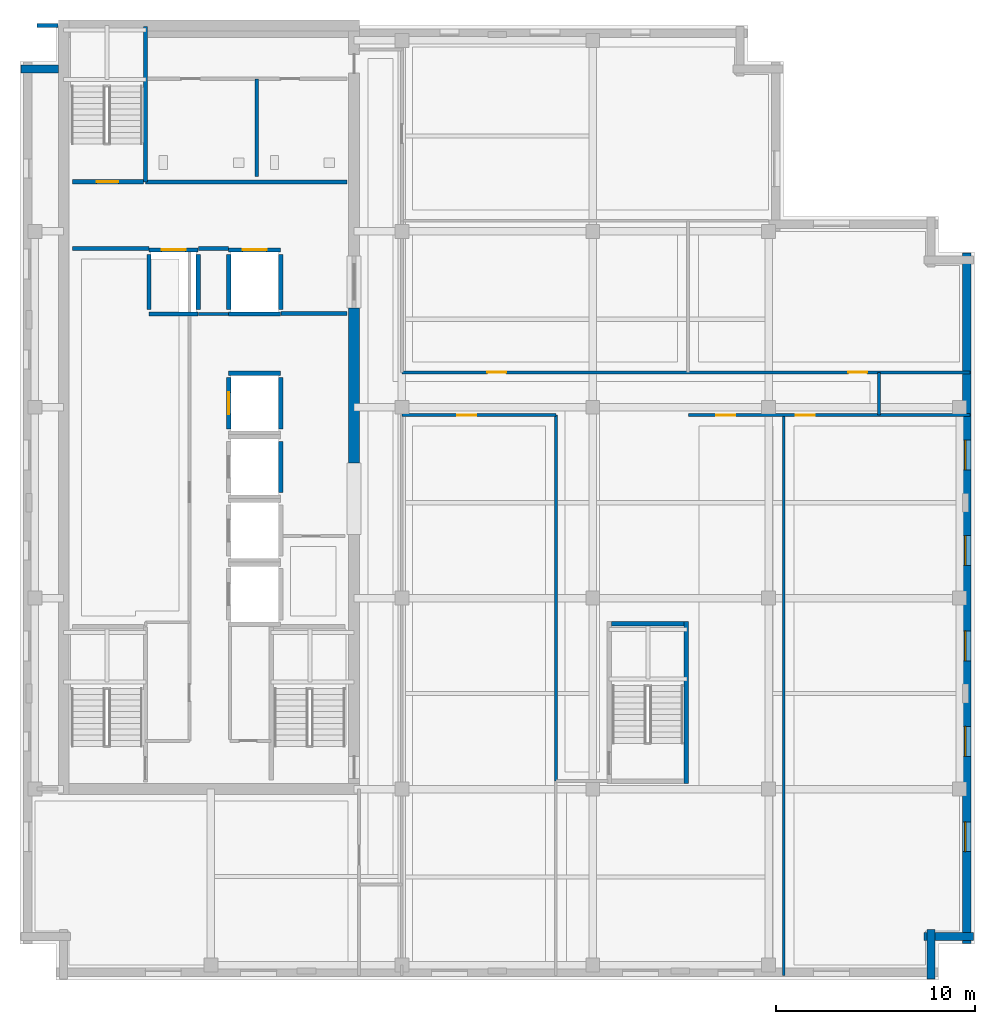
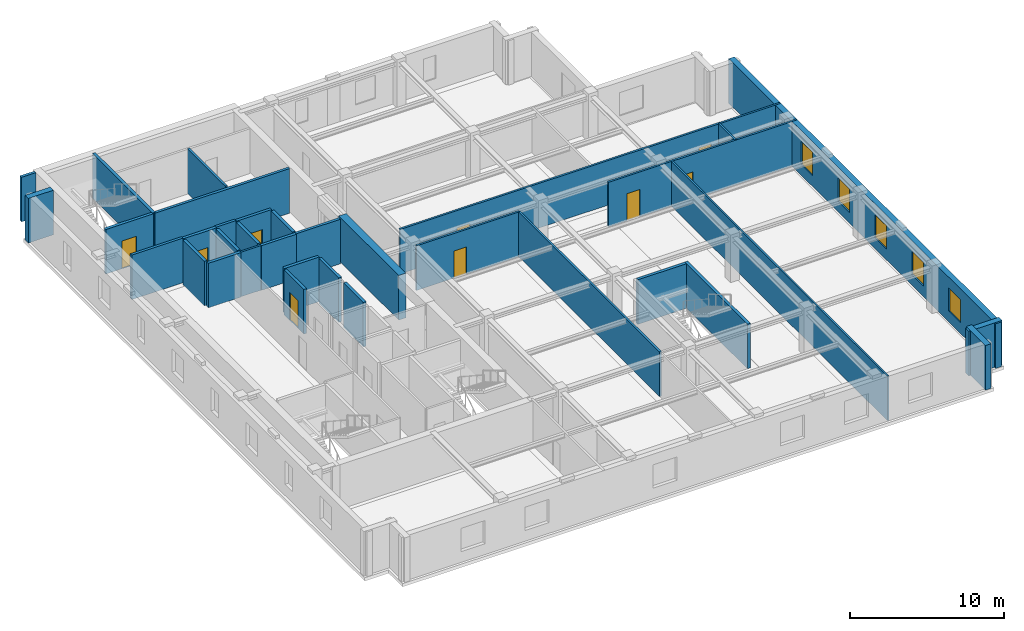
# One storey, part 4 of 10: 34 walls, 9 doors, 5 windows, 14 openings.
"""IFC4 building model written with IfcOpenShell, lengths in metres."""

from ifc_helpers import new_model, si_unit, direction, frame, frame_2d, origin, place, context, subcontext, project, spatial, rectangle, extrude, material, layer, layer_set, type_object, element, fill, save


model = new_model("IFC4")

# Units and contexts
model_context = context("Model", 3, precision=1e-05, world=origin(), true_north=direction((0.0, 1.0)))
body_context = subcontext(model_context, "Body", "Model", "MODEL_VIEW")
ifc_project = project(units=[si_unit("LENGTHUNIT", "METRE"), si_unit("AREAUNIT", "SQUARE_METRE"), si_unit("VOLUMEUNIT", "CUBIC_METRE"), si_unit("PLANEANGLEUNIT", "RADIAN"), si_unit("MASSUNIT", "GRAM", prefix="KILO")], contexts=[model_context])

# Site, building, storey
site_placement = place(None, origin())
site = spatial("IfcSite", under=ifc_project, at=site_placement, CompositionType="ELEMENT")
building_placement = place(site_placement, origin())
building = spatial("IfcBuilding", under=site, at=building_placement, Name="Norrvale University Quadrangle", CompositionType="ELEMENT")
storey_placement = place(building_placement, frame((0.0, 0.0, 296.199951171875)))
storey = spatial("IfcBuildingStorey", under=building, at=storey_placement, Name="L75", CompositionType="ELEMENT", Elevation=296.199951171875)

# Walls
ifc_material_1 = material(Name="Buff Norman Clay Brick Masonry", Category="masonry")
ifc_layer_1 = layer(ifc_material_1, 0.419921875, Name="Buff Norman Clay Brick Masonry")
ifc_layer_set_1 = layer_set([ifc_layer_1], Name="Buff Norman Clay Brick Masonry")
wall_type_1 = type_object("IfcWallType", Name="Wall Buff Brick 420", PredefinedType="SOLIDWALL", material=ifc_layer_set_1)
for number, where, z_axis, x_axis, name in (
    (1, (45.81005859375, 0.0400390625, 0.0), (0.0, 0.0, 1.0), (0.0, 1.0, 0.0), "Exterior Brick Facade Wall L75-02.1"),
    (2, (45.4599609375, 2.18994140625, 0.0), (0.0, 0.0, 1.0), (1.0, 0.0, 0.0), "Exterior Brick Facade Wall L75-03.1"),
):
    element("IfcWall", number, at=place(storey_placement, frame(where, z_axis=z_axis, x_axis=x_axis)), inside=storey, type_object=wall_type_1, Name=name, PredefinedType="SOLIDWALL", context=body_context, shape_type="SweptSolid", body=[
        extrude(rectangle(XDim=2.5, YDim=0.419921875, at=frame_2d((1.25, 0.0))), origin(), (0.0, 0.0, 1.0), 3.5400390625),
    ])

# Wall, openings, windows
wall_1_placement = place(storey_placement, frame((47.610107421875, 1.840087890625, 0.0), z_axis=(0.0, 0.0, 1.0), x_axis=(0.0, 1.0, 0.0)))
wall_1 = element("IfcWall", 3, at=wall_1_placement, inside=storey, type_object=wall_type_1, Name="Exterior Brick Facade Wall L75-04.1", PredefinedType="SOLIDWALL", context=body_context, shape_type="SweptSolid", body=[
    extrude(rectangle(XDim=34.719970703125, YDim=0.419921875, at=frame_2d((17.35986328125, 0.0))), origin(), (0.0, 0.0, 1.0), 3.5400390625),
])
opening_1_placement = place(wall_1_placement, frame((4.610107421875, 0.0, 0.85009765625)))
opening_1 = element("IfcOpeningElement", 4, at=opening_1_placement, cuts=wall_1, Name="Opening W03", PredefinedType="OPENING", context=body_context, shape_type="SweptSolid", body=[
    extrude(rectangle(XDim=1.5, YDim=1.85009765625, at=frame_2d((0.75, 0.925048828125))), frame((0.0, 0.221923828125, 0.0), z_axis=(0.0, -1.0, 0.0), x_axis=(1.0, 0.0, 0.0)), (0.0, 0.0, 1.0), 0.44384765625),
])
opening_2_placement = place(wall_1_placement, frame((9.409912109375, 0.0, 0.85009765625)))
opening_2 = element("IfcOpeningElement", 5, at=opening_2_placement, cuts=wall_1, Name="Opening W03", PredefinedType="OPENING", context=body_context, shape_type="SweptSolid", body=[
    extrude(rectangle(XDim=1.5, YDim=1.85009765625, at=frame_2d((0.75, 0.925048828125))), frame((0.0, 0.221923828125, 0.0), z_axis=(0.0, -1.0, 0.0), x_axis=(1.0, 0.0, 0.0)), (0.0, 0.0, 1.0), 0.44384765625),
])
opening_3_placement = place(wall_1_placement, frame((14.2099609375, 0.0, 0.85009765625)))
opening_3 = element("IfcOpeningElement", 6, at=opening_3_placement, cuts=wall_1, Name="Opening W03", PredefinedType="OPENING", context=body_context, shape_type="SweptSolid", body=[
    extrude(rectangle(XDim=1.5, YDim=1.85009765625, at=frame_2d((0.75, 0.925048828125))), frame((0.0, 0.221923828125, 0.0), z_axis=(0.0, -1.0, 0.0), x_axis=(1.0, 0.0, 0.0)), (0.0, 0.0, 1.0), 0.44384765625),
])
opening_4_placement = place(wall_1_placement, frame((19.010009765625, 0.0, 0.85009765625)))
opening_4 = element("IfcOpeningElement", 7, at=opening_4_placement, cuts=wall_1, Name="Opening W03", PredefinedType="OPENING", context=body_context, shape_type="SweptSolid", body=[
    extrude(rectangle(XDim=1.5, YDim=1.85009765625, at=frame_2d((0.75, 0.925048828125))), frame((0.0, 0.221923828125, 0.0), z_axis=(0.0, -1.0, 0.0), x_axis=(1.0, 0.0, 0.0)), (0.0, 0.0, 1.0), 0.44384765625),
])
opening_5_placement = place(wall_1_placement, frame((23.81005859375, 0.0, 0.85009765625)))
opening_5 = element("IfcOpeningElement", 8, at=opening_5_placement, cuts=wall_1, Name="Opening W03", PredefinedType="OPENING", context=body_context, shape_type="SweptSolid", body=[
    extrude(rectangle(XDim=1.5, YDim=1.85009765625, at=frame_2d((0.75, 0.925048828125))), frame((0.0, 0.221923828125, 0.0), z_axis=(0.0, -1.0, 0.0), x_axis=(1.0, 0.0, 0.0)), (0.0, 0.0, 1.0), 0.44384765625),
])
ifc_material_2 = material(Name="Triple Low-E Argon Glazing", Category="glass")
window_type = type_object("IfcWindowType", Name="Window Studio 1500x2300", PartitioningType="DOUBLE_PANEL_VERTICAL", PredefinedType="WINDOW", material=ifc_material_2)
window_1_placement = place(opening_1_placement, origin())
window_1 = element("IfcWindow", 9, at=window_1_placement, inside=storey, type_object=window_type, Name="Window Studio 1500x2300 WIN-L75-E04-1-01", OverallHeight=1.85009765625, OverallWidth=1.5, PartitioningType="DOUBLE_PANEL_VERTICAL", PredefinedType="WINDOW", context=body_context, shape_type="SweptSolid", body=[
    extrude(rectangle(XDim=1.5, YDim=1.85009765625, at=frame_2d((0.75, 0.925048828125))), frame((0.0, 0.110107421875, 0.0), z_axis=(0.0, -1.0, 0.0), x_axis=(1.0, 0.0, 0.0)), (0.0, 0.0, 1.0), 0.06005859375),
])
fill(opening_1, window_1)
window_2_placement = place(opening_2_placement, origin())
window_2 = element("IfcWindow", 10, at=window_2_placement, inside=storey, type_object=window_type, Name="Window Studio 1500x2300 WIN-L75-E04-1-02", OverallHeight=1.85009765625, OverallWidth=1.5, PartitioningType="DOUBLE_PANEL_VERTICAL", PredefinedType="WINDOW", context=body_context, shape_type="SweptSolid", body=[
    extrude(rectangle(XDim=1.5, YDim=1.85009765625, at=frame_2d((0.75, 0.925048828125))), frame((0.0, 0.110107421875, 0.0), z_axis=(0.0, -1.0, 0.0), x_axis=(1.0, 0.0, 0.0)), (0.0, 0.0, 1.0), 0.06005859375),
])
fill(opening_2, window_2)
window_3_placement = place(opening_3_placement, origin())
window_3 = element("IfcWindow", 11, at=window_3_placement, inside=storey, type_object=window_type, Name="Window Studio 1500x2300 WIN-L75-E04-1-03", OverallHeight=1.85009765625, OverallWidth=1.5, PartitioningType="DOUBLE_PANEL_VERTICAL", PredefinedType="WINDOW", context=body_context, shape_type="SweptSolid", body=[
    extrude(rectangle(XDim=1.5, YDim=1.85009765625, at=frame_2d((0.75, 0.925048828125))), frame((0.0, 0.110107421875, 0.0), z_axis=(0.0, -1.0, 0.0), x_axis=(1.0, 0.0, 0.0)), (0.0, 0.0, 1.0), 0.06005859375),
])
fill(opening_3, window_3)
window_4_placement = place(opening_4_placement, origin())
window_4 = element("IfcWindow", 12, at=window_4_placement, inside=storey, type_object=window_type, Name="Window Studio 1500x2300 WIN-L75-E04-1-04", OverallHeight=1.85009765625, OverallWidth=1.5, PartitioningType="DOUBLE_PANEL_VERTICAL", PredefinedType="WINDOW", context=body_context, shape_type="SweptSolid", body=[
    extrude(rectangle(XDim=1.5, YDim=1.85009765625, at=frame_2d((0.75, 0.925048828125))), frame((0.0, 0.110107421875, 0.0), z_axis=(0.0, -1.0, 0.0), x_axis=(1.0, 0.0, 0.0)), (0.0, 0.0, 1.0), 0.06005859375),
])
fill(opening_4, window_4)
window_5_placement = place(opening_5_placement, origin())
window_5 = element("IfcWindow", 13, at=window_5_placement, inside=storey, type_object=window_type, Name="Window Studio 1500x2300 WIN-L75-E04-1-05", OverallHeight=1.85009765625, OverallWidth=1.5, PartitioningType="DOUBLE_PANEL_VERTICAL", PredefinedType="WINDOW", context=body_context, shape_type="SweptSolid", body=[
    extrude(rectangle(XDim=1.5, YDim=1.85009765625, at=frame_2d((0.75, 0.925048828125))), frame((0.0, 0.110107421875, 0.0), z_axis=(0.0, -1.0, 0.0), x_axis=(1.0, 0.0, 0.0)), (0.0, 0.0, 1.0), 0.06005859375),
])
fill(opening_5, window_5)

# Walls
wall_2_placement = place(storey_placement, frame((1.925048828125, 45.81005859375, 0.0), z_axis=(0.0, 0.0, 1.0), x_axis=(-1.0, 0.0, 0.0)))
element("IfcWall", 14, at=wall_2_placement, inside=storey, type_object=wall_type_1, Name="Exterior Brick Facade Wall L75-13.1", PredefinedType="SOLIDWALL", context=body_context, shape_type="SweptSolid", body=[
    extrude(rectangle(XDim=1.885009765625, YDim=0.419921875, at=frame_2d((0.9423828125, 0.0))), origin(), (0.0, 0.0, 1.0), 3.5400390625),
])
ifc_material_3 = material(Name="Concrete C60/75", Category="concrete")
ifc_layer_2 = layer(ifc_material_3, 0.550048828125, Name="Concrete C60/75")
ifc_layer_set_2 = layer_set([ifc_layer_2], Name="Concrete C60/75")
wall_type_2 = type_object("IfcWallType", Name="Wall Core 550", PredefinedType="SHEAR", material=ifc_layer_set_2)
wall_3_placement = place(storey_placement, frame((16.800048828125, 26.0, 0.0), z_axis=(0.0, 0.0, 1.0), x_axis=(0.0, 1.0, 0.0)))
element("IfcWall", 15, at=wall_3_placement, inside=storey, type_object=wall_type_2, Name="Tower Core Shear Wall L75-E2", PredefinedType="SHEAR", context=body_context, shape_type="SweptSolid", body=[
    extrude(rectangle(XDim=7.800048828125, YDim=0.550048828125, at=frame_2d((3.89990234375, 0.0))), origin(), (0.0, 0.0, 1.0), 3.5400390625),
])
ifc_material_4 = material(Name="Standard Academic Gypsum Partition")
ifc_layer_3 = layer(ifc_material_4, 0.125, Name="Standard Academic Gypsum Partition")
ifc_layer_set_3 = layer_set([ifc_layer_3], Name="Standard Academic Gypsum Partition")
wall_type_3 = type_object("IfcWallType", Name="Wall Gypsum Academic 125", PredefinedType="PARTITIONING", material=ifc_layer_set_3)
wall_4_placement = place(storey_placement, frame((38.39990234375, 0.219970703125, 0.0), z_axis=(0.0, 0.0, 1.0), x_axis=(0.0, 1.0, 0.0)))
element("IfcWall", 16, at=wall_4_placement, inside=storey, type_object=wall_type_3, Name="Interior Partition WL-L75-SEP2", PredefinedType="PARTITIONING", context=body_context, shape_type="SweptSolid", body=[
    extrude(rectangle(XDim=28.179931640625, YDim=0.125, at=frame_2d((14.08984375, 0.0))), origin(), (0.0, 0.0, 1.0), 3.5400390625),
])
ifc_material_5 = material(Name="Fire-Rated Gypsum Stud Partition")
ifc_layer_4 = layer(ifc_material_5, 0.14990234375, Name="Fire-Rated Gypsum Stud Partition")
ifc_layer_set_4 = layer_set([ifc_layer_4], Name="Fire-Rated Gypsum Stud Partition")
wall_type_4 = type_object("IfcWallType", Name="Wall Gypsum Corridor 150", PredefinedType="PARTITIONING", material=ifc_layer_set_4)
wall_5_placement = place(storey_placement, frame((8.965087890625, 33.489990234375, 0.0), z_axis=(0.0, 0.0, 1.0), x_axis=(1.0, 0.0, 0.0)))
element("IfcWall", 17, at=wall_5_placement, inside=storey, type_object=wall_type_4, Name="Interior Partition WL-L75-LL3", PredefinedType="PARTITIONING", context=body_context, shape_type="SweptSolid", body=[
    extrude(rectangle(XDim=1.52001953125, YDim=0.14990234375, at=frame_2d((0.760009765625, 0.0))), origin(), (0.0, 0.0, 1.0), 3.5400390625),
])
wall_6_placement = place(storey_placement, frame((43.199951171875, 28.39990234375, 0.0), z_axis=(0.0, 0.0, 1.0), x_axis=(0.0, 1.0, 0.0)))
element("IfcWall", 18, at=wall_6_placement, inside=storey, type_object=wall_type_4, Name="Interior Partition WL-L75-CESP-E", PredefinedType="PARTITIONING", context=body_context, shape_type="SweptSolid", body=[
    extrude(rectangle(XDim=2.150146484375, YDim=0.14990234375, at=frame_2d((1.0751953125, 0.0))), origin(), (0.0, 0.0, 1.0), 3.5400390625),
])

# Wall, opening, door
wall_7_placement = place(storey_placement, frame((19.199951171875, 28.39990234375, 0.0), z_axis=(0.0, 0.0, 1.0), x_axis=(1.0, 0.0, 0.0)))
wall_7 = element("IfcWall", 19, at=wall_7_placement, inside=storey, type_object=wall_type_4, Name="Interior Partition WL-L75-SEW1", PredefinedType="PARTITIONING", context=body_context, shape_type="SweptSolid", body=[
    extrude(rectangle(XDim=7.75, YDim=0.14990234375, at=frame_2d((3.875, 0.0))), origin(), (0.0, 0.0, 1.0), 3.5400390625),
])
opening_6_placement = place(wall_7_placement, frame((2.800048828125, 0.0, 0.0)))
opening_6 = element("IfcOpeningElement", 20, at=opening_6_placement, cuts=wall_7, Name="Opening D07", PredefinedType="OPENING", context=body_context, shape_type="SweptSolid", body=[
    extrude(rectangle(XDim=0.949951171875, YDim=2.14990234375, at=frame_2d((0.47509765625, 1.074951171875))), frame((0.0, 0.0869140625, 0.0), z_axis=(0.0, -1.0, 0.0), x_axis=(1.0, 0.0, 0.0)), (0.0, 0.0, 1.0), 0.173828125),
])
ifc_material_6 = material(Name="Solid-Core Maple Door", Category="wood")
door_type_1 = type_object("IfcDoorType", Name="Door Office 950x2150", OperationType="NOTDEFINED", PredefinedType="DOOR", material=ifc_material_6)
door_1_placement = place(opening_6_placement, origin())
door_1 = element("IfcDoor", 21, at=door_1_placement, inside=storey, type_object=door_type_1, Name="Door Office 950x2150 DR-L75-SE1", OperationType="SINGLE_SWING_LEFT", OverallHeight=2.14990234375, OverallWidth=0.949951171875, PredefinedType="DOOR", context=body_context, shape_type="SweptSolid", body=[
    extrude(rectangle(XDim=0.949951171875, YDim=2.14990234375, at=frame_2d((0.47509765625, 1.074951171875))), frame((0.0, 0.02490234375, 0.0), z_axis=(0.0, -1.0, 0.0), x_axis=(1.0, 0.0, 0.0)), (0.0, 0.0, 1.0), 0.050048828125),
])
fill(opening_6, door_1)

# Wall
wall_8_placement = place(storey_placement, frame((26.949951171875, 10.0, 0.0), z_axis=(0.0, 0.0, 1.0), x_axis=(0.0, 1.0, 0.0)))
element("IfcWall", 22, at=wall_8_placement, inside=storey, type_object=wall_type_4, Name="Interior Partition WL-L75-SEP1B", PredefinedType="PARTITIONING", context=body_context, shape_type="SweptSolid", body=[
    extrude(rectangle(XDim=18.39990234375, YDim=0.14990234375, at=frame_2d((9.199951171875, 0.0))), origin(), (0.0, 0.0, 1.0), 3.5400390625),
])

# Wall, openings, doors
wall_9_placement = place(storey_placement, frame((33.6201171875, 28.39990234375, 0.0), z_axis=(0.0, 0.0, 1.0), x_axis=(1.0, 0.0, 0.0)))
wall_9 = element("IfcWall", 23, at=wall_9_placement, inside=storey, type_object=wall_type_4, Name="Interior Partition WL-L75-SEW2", PredefinedType="PARTITIONING", context=body_context, shape_type="SweptSolid", body=[
    extrude(rectangle(XDim=14.159912109375, YDim=0.14990234375, at=frame_2d((7.080078125, 0.0))), origin(), (0.0, 0.0, 1.0), 3.5400390625),
])
opening_7_placement = place(wall_9_placement, frame((1.39990234375, 0.0, 0.0)))
opening_7 = element("IfcOpeningElement", 24, at=opening_7_placement, cuts=wall_9, Name="Opening D07", PredefinedType="OPENING", context=body_context, shape_type="SweptSolid", body=[
    extrude(rectangle(XDim=0.949951171875, YDim=2.14990234375, at=frame_2d((0.47509765625, 1.074951171875))), frame((0.0, 0.0869140625, 0.0), z_axis=(0.0, -1.0, 0.0), x_axis=(1.0, 0.0, 0.0)), (0.0, 0.0, 1.0), 0.173828125),
])
opening_8_placement = place(wall_9_placement, frame((5.39990234375, 0.0, 0.0)))
opening_8 = element("IfcOpeningElement", 25, at=opening_8_placement, cuts=wall_9, Name="Opening D07", PredefinedType="OPENING", context=body_context, shape_type="SweptSolid", body=[
    extrude(rectangle(XDim=0.949951171875, YDim=2.14990234375, at=frame_2d((0.47509765625, 1.074951171875))), frame((0.0, 0.0869140625, 0.0), z_axis=(0.0, -1.0, 0.0), x_axis=(1.0, 0.0, 0.0)), (0.0, 0.0, 1.0), 0.173828125),
])
door_2_placement = place(opening_7_placement, origin())
door_2 = element("IfcDoor", 26, at=door_2_placement, inside=storey, type_object=door_type_1, Name="Door Office 950x2150 DR-L75-SE2", OperationType="SINGLE_SWING_RIGHT", OverallHeight=2.14990234375, OverallWidth=0.949951171875, PredefinedType="DOOR", context=body_context, shape_type="SweptSolid", body=[
    extrude(rectangle(XDim=0.949951171875, YDim=2.14990234375, at=frame_2d((0.47509765625, 1.074951171875))), frame((0.0, 0.02490234375, 0.0), z_axis=(0.0, -1.0, 0.0), x_axis=(1.0, 0.0, 0.0)), (0.0, 0.0, 1.0), 0.050048828125),
])
fill(opening_7, door_2)
door_3_placement = place(opening_8_placement, origin())
door_3 = element("IfcDoor", 27, at=door_3_placement, inside=storey, type_object=door_type_1, Name="Door Office 950x2150 DR-L75-SE3", OperationType="SINGLE_SWING_LEFT", OverallHeight=2.14990234375, OverallWidth=0.949951171875, PredefinedType="DOOR", context=body_context, shape_type="SweptSolid", body=[
    extrude(rectangle(XDim=0.949951171875, YDim=2.14990234375, at=frame_2d((0.47509765625, 1.074951171875))), frame((0.0, 0.02490234375, 0.0), z_axis=(0.0, -1.0, 0.0), x_axis=(1.0, 0.0, 0.0)), (0.0, 0.0, 1.0), 0.050048828125),
])
fill(opening_8, door_3)

wall_10_placement = place(storey_placement, frame((19.199951171875, 30.550048828125, 0.0), z_axis=(0.0, 0.0, 1.0), x_axis=(1.0, 0.0, 0.0)))
wall_10 = element("IfcWall", 28, at=wall_10_placement, inside=storey, type_object=wall_type_4, Name="Interior Partition WL-L75-MECW", PredefinedType="PARTITIONING", context=body_context, shape_type="SweptSolid", body=[
    extrude(rectangle(XDim=28.580078125, YDim=0.14990234375, at=frame_2d((14.2900390625, 0.0))), origin(), (0.0, 0.0, 1.0), 3.5400390625),
])
opening_9_placement = place(wall_10_placement, frame((4.300048828125, 0.0, 0.0)))
opening_9 = element("IfcOpeningElement", 29, at=opening_9_placement, cuts=wall_10, Name="Opening D07", PredefinedType="OPENING", context=body_context, shape_type="SweptSolid", body=[
    extrude(rectangle(XDim=0.949951171875, YDim=2.14990234375, at=frame_2d((0.47509765625, 1.074951171875))), frame((0.0, 0.0869140625, 0.0), z_axis=(0.0, -1.0, 0.0), x_axis=(1.0, 0.0, 0.0)), (0.0, 0.0, 1.0), 0.173828125),
])
opening_10_placement = place(wall_10_placement, frame((22.449951171875, 0.0, 0.0)))
opening_10 = element("IfcOpeningElement", 30, at=opening_10_placement, cuts=wall_10, Name="Opening D07", PredefinedType="OPENING", context=body_context, shape_type="SweptSolid", body=[
    extrude(rectangle(XDim=0.949951171875, YDim=2.14990234375, at=frame_2d((0.47509765625, 1.074951171875))), frame((0.0, 0.0869140625, 0.0), z_axis=(0.0, -1.0, 0.0), x_axis=(1.0, 0.0, 0.0)), (0.0, 0.0, 1.0), 0.173828125),
])
door_4_placement = place(opening_9_placement, origin())
door_4 = element("IfcDoor", 31, at=door_4_placement, inside=storey, type_object=door_type_1, Name="Door Office 950x2150 DR-L75-ME01", OperationType="SINGLE_SWING_LEFT", OverallHeight=2.14990234375, OverallWidth=0.949951171875, PredefinedType="DOOR", context=body_context, shape_type="SweptSolid", body=[
    extrude(rectangle(XDim=0.949951171875, YDim=2.14990234375, at=frame_2d((0.47509765625, 1.074951171875))), frame((0.0, 0.02490234375, 0.0), z_axis=(0.0, -1.0, 0.0), x_axis=(1.0, 0.0, 0.0)), (0.0, 0.0, 1.0), 0.050048828125),
])
fill(opening_9, door_4)
door_5_placement = place(opening_10_placement, origin())
door_5 = element("IfcDoor", 32, at=door_5_placement, inside=storey, type_object=door_type_1, Name="Door Office 950x2150 DR-L75-ME02", OperationType="SINGLE_SWING_RIGHT", OverallHeight=2.14990234375, OverallWidth=0.949951171875, PredefinedType="DOOR", context=body_context, shape_type="SweptSolid", body=[
    extrude(rectangle(XDim=0.949951171875, YDim=2.14990234375, at=frame_2d((0.47509765625, 1.074951171875))), frame((0.0, 0.02490234375, 0.0), z_axis=(0.0, -1.0, 0.0), x_axis=(1.0, 0.0, 0.0)), (0.0, 0.0, 1.0), 0.050048828125),
])
fill(opening_10, door_5)

# Walls
ifc_material_7 = material(Name="Sanitary Chase Gypsum Partition")
ifc_layer_5 = layer(ifc_material_7, 0.1650390625, Name="Sanitary Chase Gypsum Partition")
ifc_layer_set_5 = layer_set([ifc_layer_5], Name="Sanitary Chase Gypsum Partition")
wall_type_5 = type_object("IfcWallType", Name="Wall Gypsum Sanitary 165", PredefinedType="PLUMBINGWALL", material=ifc_layer_set_5)
wall_11_placement = place(storey_placement, frame((11.89990234375, 40.39990234375, 0.0), z_axis=(0.0, 0.0, 1.0), x_axis=(0.0, 1.0, 0.0)))
element("IfcWall", 33, at=wall_11_placement, inside=storey, type_object=wall_type_5, Name="Interior Partition WL-L75-WCM1", PredefinedType="PLUMBINGWALL", context=body_context, shape_type="SweptSolid", body=[
    extrude(rectangle(XDim=4.920166015625, YDim=0.1650390625, at=frame_2d((2.4599609375, 0.0))), origin(), (0.0, 0.0, 1.0), 3.5400390625),
])
ifc_material_8 = material(Name="Concrete Blockwork 20 MPa Rated Wall", Category="masonry")
ifc_layer_6 = layer(ifc_material_8, 0.199951171875, Name="Concrete Blockwork 20 MPa Rated Wall")
ifc_layer_set_6 = layer_set([ifc_layer_6], Name="Concrete Blockwork 20 MPa Rated Wall")
wall_type_6 = type_object("IfcWallType", Name="Wall Lobby 200", PredefinedType="SOLIDWALL", material=ifc_layer_set_6)
wall_12_placement = place(storey_placement, frame((2.64990234375, 36.780029296875, 0.0), z_axis=(0.0, 0.0, 1.0), x_axis=(1.0, 0.0, 0.0)))
element("IfcWall", 34, at=wall_12_placement, inside=storey, type_object=wall_type_6, Name="Interior Partition WL-L75-FF1", PredefinedType="SOLIDWALL", context=body_context, shape_type="SweptSolid", body=[
    extrude(rectangle(XDim=3.830078125, YDim=0.199951171875, at=frame_2d((1.9150390625, 0.0))), origin(), (0.0, 0.0, 1.0), 3.5400390625),
])
wall_13_placement = place(storey_placement, frame((8.969970703125, 36.780029296875, 0.0), z_axis=(0.0, 0.0, 1.0), x_axis=(1.0, 0.0, 0.0)))
element("IfcWall", 35, at=wall_13_placement, inside=storey, type_object=wall_type_6, Name="Interior Partition WL-L75-FF2", PredefinedType="SOLIDWALL", context=body_context, shape_type="SweptSolid", body=[
    extrude(rectangle(XDim=1.510009765625, YDim=0.199951171875, at=frame_2d((0.7548828125, 0.0))), origin(), (0.0, 0.0, 1.0), 3.5400390625),
])
wall_14_placement = place(storey_placement, frame((13.1201171875, 33.52001953125, 0.0), z_axis=(0.0, 0.0, 1.0), x_axis=(1.0, 0.0, 0.0)))
element("IfcWall", 36, at=wall_14_placement, inside=storey, type_object=wall_type_6, Name="Interior Partition WL-L75-FF3", PredefinedType="SOLIDWALL", context=body_context, shape_type="SweptSolid", body=[
    extrude(rectangle(XDim=3.329833984375, YDim=0.199951171875, at=frame_2d((1.6650390625, 0.0))), origin(), (0.0, 0.0, 1.0), 3.5400390625),
])
wall_15_placement = place(storey_placement, frame((6.320068359375, 40.139892578125, 0.0), z_axis=(0.0, 0.0, 1.0), x_axis=(1.0, 0.0, 0.0)))
element("IfcWall", 37, at=wall_15_placement, inside=storey, type_object=wall_type_6, Name="Interior Partition WL-L75-FF4", PredefinedType="SOLIDWALL", context=body_context, shape_type="SweptSolid", body=[
    extrude(rectangle(XDim=10.1298828125, YDim=0.199951171875, at=frame_2d((5.06494140625, 0.0))), origin(), (0.0, 0.0, 1.0), 3.5400390625),
])
wall_16_placement = place(storey_placement, frame((0.85009765625, 48.0, 0.0), z_axis=(0.0, 0.0, 1.0), x_axis=(1.0, 0.0, 0.0)))
element("IfcWall", 38, at=wall_16_placement, inside=storey, type_object=wall_type_6, Name="Interior Partition WL-L75-CWRET-N", PredefinedType="SOLIDWALL", context=body_context, shape_type="SweptSolid", body=[
    extrude(rectangle(XDim=1.06982421875, YDim=0.199951171875, at=frame_2d((0.534912109375, 0.0))), origin(), (0.0, 0.0, 1.0), 3.5400390625),
])

# Wall, opening, door
ifc_material_9 = material(Name="Concrete Blockwork 20 MPa Fire Shaft", Category="masonry")
ifc_layer_7 = layer(ifc_material_9, 0.219970703125, Name="Concrete Blockwork 20 MPa Fire Shaft")
ifc_layer_set_7 = layer_set([ifc_layer_7], Name="Concrete Blockwork 20 MPa Fire Shaft")
wall_type_7 = type_object("IfcWallType", Name="Wall Shaft 220", PredefinedType="SOLIDWALL", material=ifc_layer_set_7)
wall_17_placement = place(storey_placement, frame((2.64990234375, 40.139892578125, 0.0), z_axis=(0.0, 0.0, 1.0), x_axis=(1.0, 0.0, 0.0)))
wall_17 = element("IfcWall", 39, at=wall_17_placement, inside=storey, type_object=wall_type_7, Name="Stair ST-02 South Shaft Wall L75", PredefinedType="SOLIDWALL", context=body_context, shape_type="SweptSolid", body=[
    extrude(rectangle(XDim=3.550048828125, YDim=0.219970703125, at=frame_2d((1.77490234375, 0.0))), origin(), (0.0, 0.0, 1.0), 3.5400390625),
])
opening_11_placement = place(wall_17_placement, frame((1.199951171875, 0.0, 0.0)))
opening_11 = element("IfcOpeningElement", 40, at=opening_11_placement, cuts=wall_17, Name="Opening D02", PredefinedType="OPENING", context=body_context, shape_type="SweptSolid", body=[
    extrude(rectangle(XDim=1.10009765625, YDim=2.199951171875, at=frame_2d((0.550048828125, 1.10009765625))), frame((0.0, 0.1220703125, 0.0), z_axis=(0.0, -1.0, 0.0), x_axis=(1.0, 0.0, 0.0)), (0.0, 0.0, 1.0), 0.243896484375),
])
ifc_material_10 = material(Name="Hollow Steel 350W Fire Door", Category="steel")
door_type_2 = type_object("IfcDoorType", Name="Door Stair Exit 1100x2200", OperationType="NOTDEFINED", PredefinedType="DOOR", material=ifc_material_10)
door_6_placement = place(opening_11_placement, origin())
door_6 = element("IfcDoor", 41, at=door_6_placement, inside=storey, type_object=door_type_2, Name="Door Stair Exit 1100x2200 DR-L75-ST02", OperationType="SINGLE_SWING_LEFT", OverallHeight=2.199951171875, OverallWidth=1.10009765625, PredefinedType="DOOR", context=body_context, shape_type="SweptSolid", body=[
    extrude(rectangle(XDim=1.10009765625, YDim=2.199951171875, at=frame_2d((0.550048828125, 1.10009765625))), frame((0.0, 0.02490234375, 0.0), z_axis=(0.0, -1.0, 0.0), x_axis=(1.0, 0.0, 0.0)), (0.0, 0.0, 1.0), 0.050048828125),
])
fill(opening_11, door_6)

# Walls
wall_18_placement = place(storey_placement, frame((6.31005859375, 40.139892578125, 0.0), z_axis=(0.0, 0.0, 1.0), x_axis=(0.0, 1.0, 0.0)))
element("IfcWall", 42, at=wall_18_placement, inside=storey, type_object=wall_type_7, Name="Stair ST-02 East Shaft Wall L75", PredefinedType="SOLIDWALL", context=body_context, shape_type="SweptSolid", body=[
    extrude(rectangle(XDim=7.81005859375, YDim=0.219970703125, at=frame_2d((3.905029296875, 0.0))), origin(), (0.0, 0.0, 1.0), 3.5400390625),
])
wall_19_placement = place(storey_placement, frame((33.510009765625, 9.8798828125, 0.0), z_axis=(0.0, 0.0, 1.0), x_axis=(0.0, 1.0, 0.0)))
element("IfcWall", 43, at=wall_19_placement, inside=storey, type_object=wall_type_7, Name="Stair ST-04 East Shaft Wall L75", PredefinedType="SOLIDWALL", context=body_context, shape_type="SweptSolid", body=[
    extrude(rectangle(XDim=8.14013671875, YDim=0.219970703125, at=frame_2d((4.070068359375, 0.0))), origin(), (0.0, 0.0, 1.0), 3.5400390625),
])
wall_20_placement = place(storey_placement, frame((29.75, 17.909912109375, 0.0), z_axis=(0.0, 0.0, 1.0), x_axis=(1.0, 0.0, 0.0)))
element("IfcWall", 44, at=wall_20_placement, inside=storey, type_object=wall_type_7, Name="Stair ST-04 North Shaft Wall L75", PredefinedType="SOLIDWALL", context=body_context, shape_type="SweptSolid", body=[
    extrude(rectangle(XDim=3.64990234375, YDim=0.219970703125, at=frame_2d((1.824951171875, 0.0))), origin(), (0.0, 0.0, 1.0), 3.5400390625),
])
wall_21_placement = place(storey_placement, frame((13.110107421875, 24.510009765625, 0.0), z_axis=(0.0, 0.0, 1.0), x_axis=(0.0, 1.0, 0.0)))
element("IfcWall", 45, at=wall_21_placement, inside=storey, type_object=wall_type_7, Name="Hoistway PL-07 East Wall L75", PredefinedType="SOLIDWALL", context=body_context, shape_type="SweptSolid", body=[
    extrude(rectangle(XDim=2.580078125, YDim=0.219970703125, at=frame_2d((1.2900390625, 0.0))), origin(), (0.0, 0.0, 1.0), 3.5400390625),
])

# Wall, opening, door
wall_22_placement = place(storey_placement, frame((10.489990234375, 27.7099609375, 0.0), z_axis=(0.0, 0.0, 1.0), x_axis=(0.0, 1.0, 0.0)))
wall_22 = element("IfcWall", 46, at=wall_22_placement, inside=storey, type_object=wall_type_7, Name="Hoistway PL-08 West Wall L75", PredefinedType="SOLIDWALL", context=body_context, shape_type="SweptSolid", body=[
    extrude(rectangle(XDim=2.580078125, YDim=0.219970703125, at=frame_2d((1.2900390625, 0.0))), origin(), (0.0, 0.0, 1.0), 3.5400390625),
])
opening_12_placement = place(wall_22_placement, frame((0.739990234375, 0.0, 0.0)))
opening_12 = element("IfcOpeningElement", 47, at=opening_12_placement, cuts=wall_22, Name="Opening LD1", PredefinedType="OPENING", context=body_context, shape_type="SweptSolid", body=[
    extrude(rectangle(XDim=1.10009765625, YDim=2.199951171875, at=frame_2d((0.550048828125, 1.10009765625))), frame((0.0, 0.1220703125, 0.0), z_axis=(0.0, -1.0, 0.0), x_axis=(1.0, 0.0, 0.0)), (0.0, 0.0, 1.0), 0.243896484375),
])
ifc_material_11 = material(Name="Stainless Steel 316L Lift Landing Door", Category="steel")
door_type_3 = type_object("IfcDoorType", Name="Door Lift Landing 1100x2200", OperationType="DOUBLE_DOOR_SLIDING", PredefinedType="DOOR", material=ifc_material_11)
door_7_placement = place(opening_12_placement, origin())
door_7 = element("IfcDoor", 48, at=door_7_placement, inside=storey, type_object=door_type_3, Name="Elevator Landing Door DR-L75-PL-08", OperationType="DOUBLE_DOOR_SLIDING", OverallHeight=2.199951171875, OverallWidth=1.10009765625, PredefinedType="DOOR", context=body_context, shape_type="SweptSolid", body=[
    extrude(rectangle(XDim=1.10009765625, YDim=2.199951171875, at=frame_2d((0.550048828125, 1.10009765625))), frame((0.0, 0.02490234375, 0.0), z_axis=(0.0, -1.0, 0.0), x_axis=(1.0, 0.0, 0.0)), (0.0, 0.0, 1.0), 0.050048828125),
])
fill(opening_12, door_7)

# Walls
wall_23_placement = place(storey_placement, frame((13.110107421875, 27.7099609375, 0.0), z_axis=(0.0, 0.0, 1.0), x_axis=(0.0, 1.0, 0.0)))
element("IfcWall", 49, at=wall_23_placement, inside=storey, type_object=wall_type_7, Name="Hoistway PL-08 East Wall L75", PredefinedType="SOLIDWALL", context=body_context, shape_type="SweptSolid", body=[
    extrude(rectangle(XDim=2.580078125, YDim=0.219970703125, at=frame_2d((1.2900390625, 0.0))), origin(), (0.0, 0.0, 1.0), 3.5400390625),
])
wall_24_placement = place(storey_placement, frame((10.489990234375, 30.510009765625, 0.0), z_axis=(0.0, 0.0, 1.0), x_axis=(1.0, 0.0, 0.0)))
element("IfcWall", 50, at=wall_24_placement, inside=storey, type_object=wall_type_7, Name="Hoistway PL-08 North Wall L75", PredefinedType="SOLIDWALL", context=body_context, shape_type="SweptSolid", body=[
    extrude(rectangle(XDim=2.6201171875, YDim=0.219970703125, at=frame_2d((1.31005859375, 0.0))), origin(), (0.0, 0.0, 1.0), 3.5400390625),
])
for number, where, z_axis, x_axis, name in (
    (51, (6.489990234375, 33.7099609375, 0.0), (0.0, 0.0, 1.0), (0.0, 1.0, 0.0), "Hoistway FFL-01 West Wall L75"),
    (52, (8.9599609375, 33.7099609375, 0.0), (0.0, 0.0, 1.0), (0.0, 1.0, 0.0), "Hoistway FFL-01 East Wall L75"),
):
    element("IfcWall", number, at=place(storey_placement, frame(where, z_axis=z_axis, x_axis=x_axis)), inside=storey, type_object=wall_type_7, Name=name, PredefinedType="SOLIDWALL", context=body_context, shape_type="SweptSolid", body=[
        extrude(rectangle(XDim=2.780029296875, YDim=0.219970703125, at=frame_2d((1.39013671875, 0.0))), origin(), (0.0, 0.0, 1.0), 3.5400390625),
    ])
wall_25_placement = place(storey_placement, frame((6.489990234375, 33.489990234375, 0.0), z_axis=(0.0, 0.0, 1.0), x_axis=(1.0, 0.0, 0.0)))
element("IfcWall", 53, at=wall_25_placement, inside=storey, type_object=wall_type_7, Name="Hoistway FFL-01 South Wall L75", PredefinedType="SOLIDWALL", context=body_context, shape_type="SweptSolid", body=[
    extrude(rectangle(XDim=2.469970703125, YDim=0.219970703125, at=frame_2d((1.23486328125, 0.0))), origin(), (0.0, 0.0, 1.0), 3.5400390625),
])

# Wall, opening, door
wall_26_placement = place(storey_placement, frame((6.489990234375, 36.7099609375, 0.0), z_axis=(0.0, 0.0, 1.0), x_axis=(1.0, 0.0, 0.0)))
wall_26 = element("IfcWall", 54, at=wall_26_placement, inside=storey, type_object=wall_type_7, Name="Hoistway FFL-01 North Wall L75", PredefinedType="SOLIDWALL", context=body_context, shape_type="SweptSolid", body=[
    extrude(rectangle(XDim=2.469970703125, YDim=0.219970703125, at=frame_2d((1.23486328125, 0.0))), origin(), (0.0, 0.0, 1.0), 3.5400390625),
])
opening_13_placement = place(wall_26_placement, frame((0.635009765625, 0.0, 0.0)))
opening_13 = element("IfcOpeningElement", 55, at=opening_13_placement, cuts=wall_26, Name="Opening LD2", PredefinedType="OPENING", context=body_context, shape_type="SweptSolid", body=[
    extrude(rectangle(XDim=1.199951171875, YDim=2.199951171875, at=frame_2d((0.60009765625, 1.10009765625))), frame((0.0, 0.1220703125, 0.0), z_axis=(0.0, -1.0, 0.0), x_axis=(1.0, 0.0, 0.0)), (0.0, 0.0, 1.0), 0.243896484375),
])
ifc_material_12 = material(Name="Stainless Steel 316L Firefighter Lift Door", Category="steel")
door_type_4 = type_object("IfcDoorType", Name="Door Fire Lift 1200x2200", OperationType="DOUBLE_DOOR_SLIDING", PredefinedType="DOOR", material=ifc_material_12)
door_8_placement = place(opening_13_placement, origin())
door_8 = element("IfcDoor", 56, at=door_8_placement, inside=storey, type_object=door_type_4, Name="Elevator Landing Door DR-L75-FFL-01", OperationType="DOUBLE_DOOR_SLIDING", OverallHeight=2.199951171875, OverallWidth=1.199951171875, PredefinedType="DOOR", context=body_context, shape_type="SweptSolid", body=[
    extrude(rectangle(XDim=1.199951171875, YDim=2.199951171875, at=frame_2d((0.60009765625, 1.10009765625))), frame((0.0, 0.02490234375, 0.0), z_axis=(0.0, -1.0, 0.0), x_axis=(1.0, 0.0, 0.0)), (0.0, 0.0, 1.0), 0.050048828125),
])
fill(opening_13, door_8)

# Walls
for number, where, z_axis, x_axis, name in (
    (57, (10.489990234375, 33.7099609375, 0.0), (0.0, 0.0, 1.0), (0.0, 1.0, 0.0), "Hoistway FFL-02 West Wall L75"),
    (58, (13.110107421875, 33.7099609375, 0.0), (0.0, 0.0, 1.0), (0.0, 1.0, 0.0), "Hoistway FFL-02 East Wall L75"),
):
    element("IfcWall", number, at=place(storey_placement, frame(where, z_axis=z_axis, x_axis=x_axis)), inside=storey, type_object=wall_type_7, Name=name, PredefinedType="SOLIDWALL", context=body_context, shape_type="SweptSolid", body=[
        extrude(rectangle(XDim=2.780029296875, YDim=0.219970703125, at=frame_2d((1.39013671875, 0.0))), origin(), (0.0, 0.0, 1.0), 3.5400390625),
    ])
wall_27_placement = place(storey_placement, frame((10.489990234375, 33.489990234375, 0.0), z_axis=(0.0, 0.0, 1.0), x_axis=(1.0, 0.0, 0.0)))
element("IfcWall", 59, at=wall_27_placement, inside=storey, type_object=wall_type_7, Name="Hoistway FFL-02 South Wall L75", PredefinedType="SOLIDWALL", context=body_context, shape_type="SweptSolid", body=[
    extrude(rectangle(XDim=2.6201171875, YDim=0.219970703125, at=frame_2d((1.31005859375, 0.0))), origin(), (0.0, 0.0, 1.0), 3.5400390625),
])

# Wall, opening, door
wall_28_placement = place(storey_placement, frame((10.489990234375, 36.7099609375, 0.0), z_axis=(0.0, 0.0, 1.0), x_axis=(1.0, 0.0, 0.0)))
wall_28 = element("IfcWall", 60, at=wall_28_placement, inside=storey, type_object=wall_type_7, Name="Hoistway FFL-02 North Wall L75", PredefinedType="SOLIDWALL", context=body_context, shape_type="SweptSolid", body=[
    extrude(rectangle(XDim=2.6201171875, YDim=0.219970703125, at=frame_2d((1.31005859375, 0.0))), origin(), (0.0, 0.0, 1.0), 3.5400390625),
])
opening_14_placement = place(wall_28_placement, frame((0.7099609375, 0.0, 0.0)))
opening_14 = element("IfcOpeningElement", 61, at=opening_14_placement, cuts=wall_28, Name="Opening LD2", PredefinedType="OPENING", context=body_context, shape_type="SweptSolid", body=[
    extrude(rectangle(XDim=1.199951171875, YDim=2.199951171875, at=frame_2d((0.60009765625, 1.10009765625))), frame((0.0, 0.1220703125, 0.0), z_axis=(0.0, -1.0, 0.0), x_axis=(1.0, 0.0, 0.0)), (0.0, 0.0, 1.0), 0.243896484375),
])
door_9_placement = place(opening_14_placement, origin())
door_9 = element("IfcDoor", 62, at=door_9_placement, inside=storey, type_object=door_type_4, Name="Elevator Landing Door DR-L75-FFL-02", OperationType="DOUBLE_DOOR_SLIDING", OverallHeight=2.199951171875, OverallWidth=1.199951171875, PredefinedType="DOOR", context=body_context, shape_type="SweptSolid", body=[
    extrude(rectangle(XDim=1.199951171875, YDim=2.199951171875, at=frame_2d((0.60009765625, 1.10009765625))), frame((0.0, 0.02490234375, 0.0), z_axis=(0.0, -1.0, 0.0), x_axis=(1.0, 0.0, 0.0)), (0.0, 0.0, 1.0), 0.050048828125),
])
fill(opening_14, door_9)

save(model, "model.ifc")
